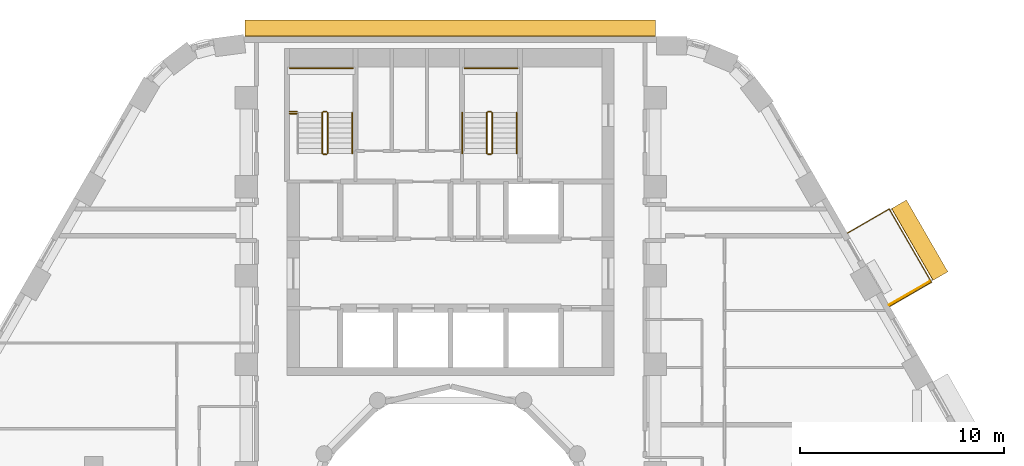
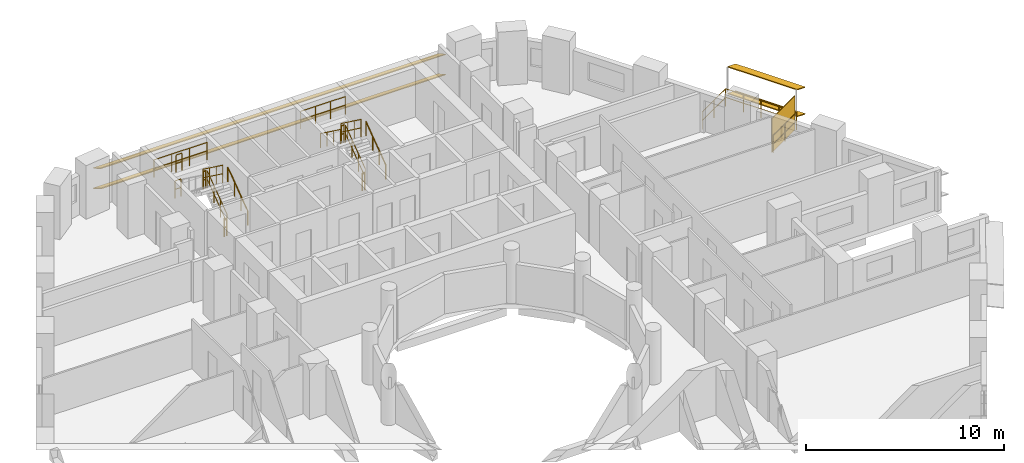
# One storey, part 13 of 13: 16 railings, 5 shading devices.
"""IFC4 building model written with IfcOpenShell, lengths in metres."""

from ifc_helpers import new_model, si_unit, direction, frame, origin, origin_2d, place, context, subcontext, project, spatial, rectangle, circle, extrude, material, layer, layer_set, material_profile, profile_set, type_object, element, save


model = new_model("IFC4")

# Units and contexts
model_context = context("Model", 3, precision=1e-05, world=origin(), true_north=direction((0.0, 1.0)))
body_context = subcontext(model_context, "Body", "Model", "MODEL_VIEW")
ifc_project = project(units=[si_unit("LENGTHUNIT", "METRE"), si_unit("AREAUNIT", "SQUARE_METRE"), si_unit("VOLUMEUNIT", "CUBIC_METRE"), si_unit("PLANEANGLEUNIT", "RADIAN"), si_unit("MASSUNIT", "GRAM", prefix="KILO")], contexts=[model_context])

# Site, building, storey
site_placement = place(None, origin())
site = spatial("IfcSite", under=ifc_project, at=site_placement, CompositionType="ELEMENT")
building_placement = place(site_placement, origin())
building = spatial("IfcBuilding", under=site, at=building_placement, Name="Nakaniwa Court", CompositionType="ELEMENT")
storey_placement = place(building_placement, frame((0.0, 0.0, 61.199951171875)))
storey = spatial("IfcBuildingStorey", under=building, at=storey_placement, Name="L16", CompositionType="ELEMENT", Elevation=61.199951171875)

# Railing
ifc_material_1 = material(Name="Black powder-coated steel flat bar balustrade S275", Category="steel")
railing_type_1 = type_object("IfcRailingType", Name="Black metal balcony guard 1100", PredefinedType="GUARDRAIL", material=ifc_material_1)
railing_1_placement = place(storey_placement, frame((101.480712890625, 90.794677734375, -0.050048828125)))
element("IfcRailing", 1, at=railing_1_placement, inside=storey, type_object=railing_type_1, Name="L16 balcony guard 01", PredefinedType="GUARDRAIL", context=body_context, shape_type="SweptSolid", body=[
    extrude(circle(Radius=0.02392578125, at=origin_2d()), frame((0.0, 0.0, 1.076171875), z_axis=(0.866025363618, 0.50000006957, 0.0), x_axis=(-0.50000006957, 0.866025363618, 0.0)), (0.0, 0.0, 1.0), 2.35986328125),
    extrude(circle(Radius=0.02392578125, at=origin_2d()), frame((0.0, 0.0, 0.550048828125), z_axis=(0.866025363618, 0.50000006957, 0.0), x_axis=(-0.50000006957, 0.866025363618, 0.0)), (0.0, 0.0, 1.0), 2.35986328125),
    extrude(circle(Radius=0.02392578125, at=origin_2d()), frame((2.043701171875, 1.179931640625, 1.076171875), z_axis=(-0.500000159503, 0.866025311695, 0.0), x_axis=(-0.866025311695, -0.500000159503, 0.0)), (0.0, 0.0, 1.0), 4.134765625),
    extrude(circle(Radius=0.02392578125, at=origin_2d()), frame((2.043701171875, 1.179931640625, 0.550048828125), z_axis=(-0.500000159503, 0.866025311695, 0.0), x_axis=(-0.866025311695, -0.500000159503, 0.0)), (0.0, 0.0, 1.0), 4.134765625),
    extrude(circle(Radius=0.02392578125, at=origin_2d()), frame((-0.023681640625, 4.7607421875, 1.076171875), z_axis=(-0.866006432019, -0.500032858622, 0.0), x_axis=(0.500032858622, -0.866006432019, 0.0)), (0.0, 0.0, 1.0), 2.360107421875),
    extrude(circle(Radius=0.02392578125, at=origin_2d()), frame((-0.023681640625, 4.7607421875, 0.550048828125), z_axis=(-0.866006432019, -0.500032858622, 0.0), x_axis=(0.500032858622, -0.866006432019, 0.0)), (0.0, 0.0, 1.0), 2.360107421875),
    extrude(circle(Radius=0.02099609375, at=origin_2d()), origin(), (0.0, 0.0, 1.0), 1.052001953125),
    extrude(circle(Radius=0.02099609375, at=origin_2d()), frame((1.02197265625, 0.58984375, 0.0)), (0.0, 0.0, 1.0), 1.052001953125),
    extrude(circle(Radius=0.02099609375, at=origin_2d()), frame((2.043701171875, 1.179931640625, 0.0)), (0.0, 0.0, 1.0), 1.052001953125),
    extrude(circle(Radius=0.02099609375, at=origin_2d()), frame((1.52685546875, 2.0751953125, 0.0)), (0.0, 0.0, 1.0), 1.052001953125),
    extrude(circle(Radius=0.02099609375, at=origin_2d()), frame((1.010009765625, 2.97021484375, 0.0)), (0.0, 0.0, 1.0), 1.052001953125),
    extrude(circle(Radius=0.02099609375, at=origin_2d()), frame((0.4931640625, 3.865478515625, 0.0)), (0.0, 0.0, 1.0), 1.052001953125),
    extrude(circle(Radius=0.02099609375, at=origin_2d()), frame((-0.023681640625, 4.7607421875, 0.0)), (0.0, 0.0, 1.0), 1.052001953125),
    extrude(circle(Radius=0.02099609375, at=origin_2d()), frame((-1.045654296875, 4.170654296875, 0.0)), (0.0, 0.0, 1.0), 1.052001953125),
    extrude(circle(Radius=0.02099609375, at=origin_2d()), frame((-2.067626953125, 3.58056640625, 0.0)), (0.0, 0.0, 1.0), 1.052001953125),
])

# Shading devices
ifc_material_2 = material(Name="Black powder-coated aluminium slat screen", Category="aluminium")
ifc_layer = layer(ifc_material_2, 0.0400390625)
ifc_layer_set = layer_set([ifc_layer], Name="Black powder-coated aluminium slat screen")
shading_device_type_1 = type_object("IfcShadingDeviceType", Name="Koshi screen black metal", PredefinedType="USERDEFINED", material=ifc_layer_set)
shading_device_placement = place(storey_placement, frame((102.44091796875, 91.44140625, -0.050048828125), z_axis=(0.0, 0.0, 1.0), x_axis=(-0.500004534492, 0.866022785779, 0.0)))
element("IfcShadingDevice", 2, at=shading_device_placement, inside=storey, type_object=shading_device_type_1, Name="L16 balcony SCREEN 01 W", ObjectType="KOSHI SCREEN", PredefinedType="USERDEFINED", context=body_context, shape_type="SweptSolid", body=[
    extrude(rectangle(XDim=0.0400390625, YDim=2.31005859375, at=origin_2d()), origin(), (0.0, 0.0, 1.0), 2.10009765625),
])
ifc_material_3 = material(Name="Perforated charcoal ceramic louvre blade")
ifc_material_profile = material_profile(ifc_material_3, rectangle(XDim=0.89990234375, YDim=0.050048828125, at=origin_2d()), Name="Perforated ceramic louvre blade")
ifc_profile_set = profile_set([ifc_material_profile], Name="Perforated charcoal ceramic louvre blade")
shading_device_type_2 = type_object("IfcShadingDeviceType", Name="Perforated ceramic louvre blade", PredefinedType="JALOUSIE", material=ifc_profile_set)
for number, where, z_axis, x_axis, name in (
    (3, (103.959228515625, 92.27197265625, 0.5), (-0.499998693927, 0.866026157845, 0.0), (-0.800103841852, -0.461938559601, 0.382683432365), "L16 perforated ceramic louvre blade 01 1"),
    (4, (103.959228515625, 92.27197265625, 2.150146484375), (-0.499998693927, 0.866026157845, 0.0), (-0.800103841852, -0.461938559601, 0.382683432365), "L16 perforated ceramic louvre blade 01 2"),
):
    element("IfcShadingDevice", number, at=place(storey_placement, frame(where, z_axis=z_axis, x_axis=x_axis)), inside=storey, type_object=shading_device_type_2, Name=name, PredefinedType="JALOUSIE", context=body_context, shape_type="SweptSolid", body=[
        extrude(rectangle(XDim=0.89990234375, YDim=0.050048828125, at=origin_2d()), origin(), (0.0, 0.0, 1.0), 4.0546875),
    ])
for number, where, z_axis, x_axis, name in (
    (5, (90.02880859375, 104.402099609375, 0.550048828125), (-1.0, 0.0, 0.0), (0.0, -0.866025403784, 0.5), "L16 perforated ceramic louvre blade w08 1"),
    (6, (90.02880859375, 104.402099609375, 1.79345703125), (-1.0, 0.0, 0.0), (0.0, -0.866025403784, 0.5), "L16 perforated ceramic louvre blade w08 2"),
):
    element("IfcShadingDevice", number, at=place(storey_placement, frame(where, z_axis=z_axis, x_axis=x_axis)), inside=storey, type_object=shading_device_type_2, Name=name, PredefinedType="JALOUSIE", context=body_context, shape_type="SweptSolid", body=[
        extrude(rectangle(XDim=0.89990234375, YDim=0.050048828125, at=origin_2d()), origin(), (0.0, 0.0, 1.0), 20.090576171875),
    ])

# Railings
ifc_material_4 = material(Name="Black powder coated steel guard", Category="steel")
railing_type_2 = type_object("IfcRailingType", Name="Stair guard 1100", PredefinedType="GUARDRAIL", material=ifc_material_4)
railing_2_placement = place(storey_placement, frame((73.97509765625, 98.27490234375, 0.183349609375)))
element("IfcRailing", 7, at=railing_2_placement, inside=storey, type_object=railing_type_2, Name="L16 ST1 stair guard 1", PredefinedType="GUARDRAIL", context=body_context, shape_type="SweptSolid", body=[
    extrude(circle(Radius=0.02392578125, at=origin_2d()), frame((0.0, 0.0, 1.076171875), z_axis=(0.0, 0.806379959628, 0.591397802423), x_axis=(-1.0, 0.0, 0.0)), (0.0, 0.0, 1.0), 2.480224609375),
    extrude(circle(Radius=0.02392578125, at=origin_2d()), frame((0.0, 0.0, 0.550048828125), z_axis=(0.0, 0.806379959628, 0.591397802423), x_axis=(-1.0, 0.0, 0.0)), (0.0, 0.0, 1.0), 2.480224609375),
    extrude(circle(Radius=0.02099609375, at=origin_2d()), origin(), (0.0, 0.0, 1.0), 1.052001953125),
    extrude(circle(Radius=0.02099609375, at=origin_2d()), frame((0.0, 0.666748046875, 0.489013671875)), (0.0, 0.0, 1.0), 1.052001953125),
    extrude(circle(Radius=0.02099609375, at=origin_2d()), frame((0.0, 1.333251953125, 0.977783203125)), (0.0, 0.0, 1.0), 1.052001953125),
    extrude(circle(Radius=0.02099609375, at=origin_2d()), frame((0.0, 2.0, 1.466796875)), (0.0, 0.0, 1.0), 1.052001953125),
])
railing_3_placement = place(storey_placement, frame((73.925048828125, 100.324951171875, 1.650146484375)))
element("IfcRailing", 8, at=railing_3_placement, inside=storey, type_object=railing_type_2, Name="L16 ST1 stair guard 2", PredefinedType="GUARDRAIL", context=body_context, shape_type="SweptSolid", body=[
    extrude(circle(Radius=0.02392578125, at=origin_2d()), frame((0.0, 0.0, 1.076171875), z_axis=(-1.0, 0.0, 0.0), x_axis=(0.0, -1.0, 0.0)), (0.0, 0.0, 1.0), 0.150146484375),
    extrude(circle(Radius=0.02392578125, at=origin_2d()), frame((0.0, 0.0, 0.550048828125), z_axis=(-1.0, 0.0, 0.0), x_axis=(0.0, -1.0, 0.0)), (0.0, 0.0, 1.0), 0.150146484375),
    extrude(circle(Radius=0.02099609375, at=origin_2d()), origin(), (0.0, 0.0, 1.0), 1.052001953125),
    extrude(circle(Radius=0.02099609375, at=origin_2d()), frame((-0.150146484375, 0.0, 0.0)), (0.0, 0.0, 1.0), 1.052001953125),
])
railing_4_placement = place(storey_placement, frame((73.72509765625, 100.27490234375, 1.83349609375)))
element("IfcRailing", 9, at=railing_4_placement, inside=storey, type_object=railing_type_2, Name="L16 ST1 stair guard 3", PredefinedType="GUARDRAIL", context=body_context, shape_type="SweptSolid", body=[
    extrude(circle(Radius=0.02392578125, at=origin_2d()), frame((0.0, 0.0, 1.076171875), z_axis=(0.0, -0.806426902644, 0.591333789573), x_axis=(1.0, 0.0, 0.0)), (0.0, 0.0, 1.0), 2.47998046875),
    extrude(circle(Radius=0.02392578125, at=origin_2d()), frame((0.0, 0.0, 0.550048828125), z_axis=(0.0, -0.806426902644, 0.591333789573), x_axis=(1.0, 0.0, 0.0)), (0.0, 0.0, 1.0), 2.47998046875),
    extrude(circle(Radius=0.02099609375, at=origin_2d()), origin(), (0.0, 0.0, 1.0), 1.052001953125),
    extrude(circle(Radius=0.02099609375, at=origin_2d()), frame((0.0, -0.666748046875, 0.48876953125)), (0.0, 0.0, 1.0), 1.052001953125),
    extrude(circle(Radius=0.02099609375, at=origin_2d()), frame((0.0, -1.333251953125, 0.977783203125)), (0.0, 0.0, 1.0), 1.052001953125),
    extrude(circle(Radius=0.02099609375, at=origin_2d()), frame((0.0, -2.0, 1.466552734375)), (0.0, 0.0, 1.0), 1.052001953125),
])
railing_5_placement = place(storey_placement, frame((73.925048828125, 98.22509765625, 0.0)))
element("IfcRailing", 10, at=railing_5_placement, inside=storey, type_object=railing_type_2, Name="L16 ST1 stair guard 4", PredefinedType="GUARDRAIL", context=body_context, shape_type="SweptSolid", body=[
    extrude(circle(Radius=0.02392578125, at=origin_2d()), frame((0.0, 0.0, 1.076171875), z_axis=(-1.0, 0.0, 0.0), x_axis=(0.0, -1.0, 0.0)), (0.0, 0.0, 1.0), 0.150146484375),
    extrude(circle(Radius=0.02392578125, at=origin_2d()), frame((0.0, 0.0, 0.550048828125), z_axis=(-1.0, 0.0, 0.0), x_axis=(0.0, -1.0, 0.0)), (0.0, 0.0, 1.0), 0.150146484375),
    extrude(circle(Radius=0.02099609375, at=origin_2d()), origin(), (0.0, 0.0, 1.0), 1.052001953125),
    extrude(circle(Radius=0.02099609375, at=origin_2d()), frame((-0.150146484375, 0.0, 0.0)), (0.0, 0.0, 1.0), 1.052001953125),
])
railing_6_placement = place(storey_placement, frame((72.125, 102.449951171875, 1.650146484375)))
element("IfcRailing", 11, at=railing_6_placement, inside=storey, type_object=railing_type_2, Name="L16 ST1 landing end guard 1", PredefinedType="GUARDRAIL", context=body_context, shape_type="SweptSolid", body=[
    extrude(circle(Radius=0.02392578125, at=origin_2d()), frame((0.0, 0.0, 1.076171875), z_axis=(1.0, 0.0, 0.0), x_axis=(0.0, 1.0, 0.0)), (0.0, 0.0, 1.0), 3.10009765625),
    extrude(circle(Radius=0.02392578125, at=origin_2d()), frame((0.0, 0.0, 0.550048828125), z_axis=(1.0, 0.0, 0.0), x_axis=(0.0, 1.0, 0.0)), (0.0, 0.0, 1.0), 3.10009765625),
    extrude(circle(Radius=0.02099609375, at=origin_2d()), origin(), (0.0, 0.0, 1.0), 1.052001953125),
    extrude(circle(Radius=0.02099609375, at=origin_2d()), frame((1.033447265625, 0.0, 0.0)), (0.0, 0.0, 1.0), 1.052001953125),
    extrude(circle(Radius=0.02099609375, at=origin_2d()), frame((2.066650390625, 0.0, 0.0)), (0.0, 0.0, 1.0), 1.052001953125),
    extrude(circle(Radius=0.02099609375, at=origin_2d()), frame((3.10009765625, 0.0, 0.0)), (0.0, 0.0, 1.0), 1.052001953125),
])
for number, where, name in (
    (12, (72.125, 100.324951171875, 1.650146484375), "L16 ST1 landing side guard 1W"),
    (13, (72.125, 100.22509765625, 3.300048828125), "L16 ST1 floor edge guard 1W"),
):
    element("IfcRailing", number, at=place(storey_placement, frame(where)), inside=storey, type_object=railing_type_2, Name=name, PredefinedType="GUARDRAIL", context=body_context, shape_type="SweptSolid", body=[
        extrude(circle(Radius=0.02392578125, at=origin_2d()), frame((0.0, 0.0, 1.076171875), z_axis=(1.0, 0.0, 0.0), x_axis=(0.0, 1.0, 0.0)), (0.0, 0.0, 1.0), 0.35009765625),
        extrude(circle(Radius=0.02392578125, at=origin_2d()), frame((0.0, 0.0, 0.550048828125), z_axis=(1.0, 0.0, 0.0), x_axis=(0.0, 1.0, 0.0)), (0.0, 0.0, 1.0), 0.35009765625),
        extrude(circle(Radius=0.02099609375, at=origin_2d()), origin(), (0.0, 0.0, 1.0), 1.052001953125),
        extrude(circle(Radius=0.02099609375, at=origin_2d()), frame((0.35009765625, 0.0, 0.0)), (0.0, 0.0, 1.0), 1.052001953125),
    ])
railing_7_placement = place(storey_placement, frame((82.02490234375, 98.27490234375, 0.183349609375)))
element("IfcRailing", 14, at=railing_7_placement, inside=storey, type_object=railing_type_2, Name="L16 ST2 stair guard 1", PredefinedType="GUARDRAIL", context=body_context, shape_type="SweptSolid", body=[
    extrude(circle(Radius=0.02392578125, at=origin_2d()), frame((0.0, 0.0, 1.076171875), z_axis=(0.0, 0.806379959628, 0.591397802423), x_axis=(-1.0, 0.0, 0.0)), (0.0, 0.0, 1.0), 2.480224609375),
    extrude(circle(Radius=0.02392578125, at=origin_2d()), frame((0.0, 0.0, 0.550048828125), z_axis=(0.0, 0.806379959628, 0.591397802423), x_axis=(-1.0, 0.0, 0.0)), (0.0, 0.0, 1.0), 2.480224609375),
    extrude(circle(Radius=0.02099609375, at=origin_2d()), origin(), (0.0, 0.0, 1.0), 1.052001953125),
    extrude(circle(Radius=0.02099609375, at=origin_2d()), frame((0.0, 0.666748046875, 0.489013671875)), (0.0, 0.0, 1.0), 1.052001953125),
    extrude(circle(Radius=0.02099609375, at=origin_2d()), frame((0.0, 1.333251953125, 0.977783203125)), (0.0, 0.0, 1.0), 1.052001953125),
    extrude(circle(Radius=0.02099609375, at=origin_2d()), frame((0.0, 2.0, 1.466796875)), (0.0, 0.0, 1.0), 1.052001953125),
])
railing_8_placement = place(storey_placement, frame((81.97509765625, 100.324951171875, 1.650146484375)))
element("IfcRailing", 15, at=railing_8_placement, inside=storey, type_object=railing_type_2, Name="L16 ST2 stair guard 2", PredefinedType="GUARDRAIL", context=body_context, shape_type="SweptSolid", body=[
    extrude(circle(Radius=0.02392578125, at=origin_2d()), frame((0.0, 0.0, 1.076171875), z_axis=(-1.0, 0.0, 0.0), x_axis=(0.0, -1.0, 0.0)), (0.0, 0.0, 1.0), 0.150146484375),
    extrude(circle(Radius=0.02392578125, at=origin_2d()), frame((0.0, 0.0, 0.550048828125), z_axis=(-1.0, 0.0, 0.0), x_axis=(0.0, -1.0, 0.0)), (0.0, 0.0, 1.0), 0.150146484375),
    extrude(circle(Radius=0.02099609375, at=origin_2d()), origin(), (0.0, 0.0, 1.0), 1.052001953125),
    extrude(circle(Radius=0.02099609375, at=origin_2d()), frame((-0.150146484375, 0.0, 0.0)), (0.0, 0.0, 1.0), 1.052001953125),
])
railing_9_placement = place(storey_placement, frame((81.77490234375, 100.27490234375, 1.83349609375)))
element("IfcRailing", 16, at=railing_9_placement, inside=storey, type_object=railing_type_2, Name="L16 ST2 stair guard 3", PredefinedType="GUARDRAIL", context=body_context, shape_type="SweptSolid", body=[
    extrude(circle(Radius=0.02392578125, at=origin_2d()), frame((0.0, 0.0, 1.076171875), z_axis=(0.0, -0.806426902644, 0.591333789573), x_axis=(1.0, 0.0, 0.0)), (0.0, 0.0, 1.0), 2.47998046875),
    extrude(circle(Radius=0.02392578125, at=origin_2d()), frame((0.0, 0.0, 0.550048828125), z_axis=(0.0, -0.806426902644, 0.591333789573), x_axis=(1.0, 0.0, 0.0)), (0.0, 0.0, 1.0), 2.47998046875),
    extrude(circle(Radius=0.02099609375, at=origin_2d()), origin(), (0.0, 0.0, 1.0), 1.052001953125),
    extrude(circle(Radius=0.02099609375, at=origin_2d()), frame((0.0, -0.666748046875, 0.48876953125)), (0.0, 0.0, 1.0), 1.052001953125),
    extrude(circle(Radius=0.02099609375, at=origin_2d()), frame((0.0, -1.333251953125, 0.977783203125)), (0.0, 0.0, 1.0), 1.052001953125),
    extrude(circle(Radius=0.02099609375, at=origin_2d()), frame((0.0, -2.0, 1.466552734375)), (0.0, 0.0, 1.0), 1.052001953125),
])
railing_10_placement = place(storey_placement, frame((81.97509765625, 98.22509765625, 0.0)))
element("IfcRailing", 17, at=railing_10_placement, inside=storey, type_object=railing_type_2, Name="L16 ST2 stair guard 4", PredefinedType="GUARDRAIL", context=body_context, shape_type="SweptSolid", body=[
    extrude(circle(Radius=0.02392578125, at=origin_2d()), frame((0.0, 0.0, 1.076171875), z_axis=(-1.0, 0.0, 0.0), x_axis=(0.0, -1.0, 0.0)), (0.0, 0.0, 1.0), 0.150146484375),
    extrude(circle(Radius=0.02392578125, at=origin_2d()), frame((0.0, 0.0, 0.550048828125), z_axis=(-1.0, 0.0, 0.0), x_axis=(0.0, -1.0, 0.0)), (0.0, 0.0, 1.0), 0.150146484375),
    extrude(circle(Radius=0.02099609375, at=origin_2d()), origin(), (0.0, 0.0, 1.0), 1.052001953125),
    extrude(circle(Radius=0.02099609375, at=origin_2d()), frame((-0.150146484375, 0.0, 0.0)), (0.0, 0.0, 1.0), 1.052001953125),
])
railing_11_placement = place(storey_placement, frame((80.675048828125, 102.449951171875, 1.650146484375)))
element("IfcRailing", 18, at=railing_11_placement, inside=storey, type_object=railing_type_2, Name="L16 ST2 landing end guard 1", PredefinedType="GUARDRAIL", context=body_context, shape_type="SweptSolid", body=[
    extrude(circle(Radius=0.02392578125, at=origin_2d()), frame((0.0, 0.0, 1.076171875), z_axis=(1.0, 0.0, 0.0), x_axis=(0.0, 1.0, 0.0)), (0.0, 0.0, 1.0), 2.599853515625),
    extrude(circle(Radius=0.02392578125, at=origin_2d()), frame((0.0, 0.0, 0.550048828125), z_axis=(1.0, 0.0, 0.0), x_axis=(0.0, 1.0, 0.0)), (0.0, 0.0, 1.0), 2.599853515625),
    extrude(circle(Radius=0.02099609375, at=origin_2d()), origin(), (0.0, 0.0, 1.0), 1.052001953125),
    extrude(circle(Radius=0.02099609375, at=origin_2d()), frame((0.86669921875, 0.0, 0.0)), (0.0, 0.0, 1.0), 1.052001953125),
    extrude(circle(Radius=0.02099609375, at=origin_2d()), frame((1.733154296875, 0.0, 0.0)), (0.0, 0.0, 1.0), 1.052001953125),
    extrude(circle(Radius=0.02099609375, at=origin_2d()), frame((2.599853515625, 0.0, 0.0)), (0.0, 0.0, 1.0), 1.052001953125),
])
ifc_material_5 = material(Name="Black powder coated steel handrail", Category="steel")
railing_type_3 = type_object("IfcRailingType", Name="Stair handrail 900", PredefinedType="HANDRAIL", material=ifc_material_5)
for number, where, name in (
    (19, (75.175048828125, 98.27490234375, 0.183349609375), "L16 ST1 stair handrail 1"),
    (20, (83.22509765625, 98.27490234375, 0.183349609375), "L16 ST2 stair handrail 1"),
):
    element("IfcRailing", number, at=place(storey_placement, frame(where)), inside=storey, type_object=railing_type_3, Name=name, PredefinedType="HANDRAIL", context=body_context, shape_type="SweptSolid", body=[
        extrude(circle(Radius=0.02392578125, at=origin_2d()), frame((0.0, 0.0, 0.8759765625), z_axis=(0.0, 0.806379959628, 0.591397802423), x_axis=(-1.0, 0.0, 0.0)), (0.0, 0.0, 1.0), 2.480224609375),
        extrude(circle(Radius=0.02099609375, at=origin_2d()), origin(), (0.0, 0.0, 1.0), 0.851806640625),
        extrude(circle(Radius=0.02099609375, at=origin_2d()), frame((0.0, 0.666748046875, 0.489013671875)), (0.0, 0.0, 1.0), 0.851806640625),
        extrude(circle(Radius=0.02099609375, at=origin_2d()), frame((0.0, 1.333251953125, 0.977783203125)), (0.0, 0.0, 1.0), 0.851806640625),
        extrude(circle(Radius=0.02099609375, at=origin_2d()), frame((0.0, 2.0, 1.466796875)), (0.0, 0.0, 1.0), 0.851806640625),
    ])
railing_12_placement = place(storey_placement, frame((80.574951171875, 100.27490234375, 1.83349609375)))
element("IfcRailing", 21, at=railing_12_placement, inside=storey, type_object=railing_type_3, Name="L16 ST2 stair handrail 2", PredefinedType="HANDRAIL", context=body_context, shape_type="SweptSolid", body=[
    extrude(circle(Radius=0.02392578125, at=origin_2d()), frame((0.0, 0.0, 0.8759765625), z_axis=(0.0, -0.806426902644, 0.591333789573), x_axis=(1.0, 0.0, 0.0)), (0.0, 0.0, 1.0), 2.47998046875),
    extrude(circle(Radius=0.02099609375, at=origin_2d()), origin(), (0.0, 0.0, 1.0), 0.851806640625),
    extrude(circle(Radius=0.02099609375, at=origin_2d()), frame((0.0, -0.666748046875, 0.48876953125)), (0.0, 0.0, 1.0), 0.851806640625),
    extrude(circle(Radius=0.02099609375, at=origin_2d()), frame((0.0, -1.333251953125, 0.977783203125)), (0.0, 0.0, 1.0), 0.851806640625),
    extrude(circle(Radius=0.02099609375, at=origin_2d()), frame((0.0, -2.0, 1.466552734375)), (0.0, 0.0, 1.0), 0.851806640625),
])

save(model, "model.ifc")
